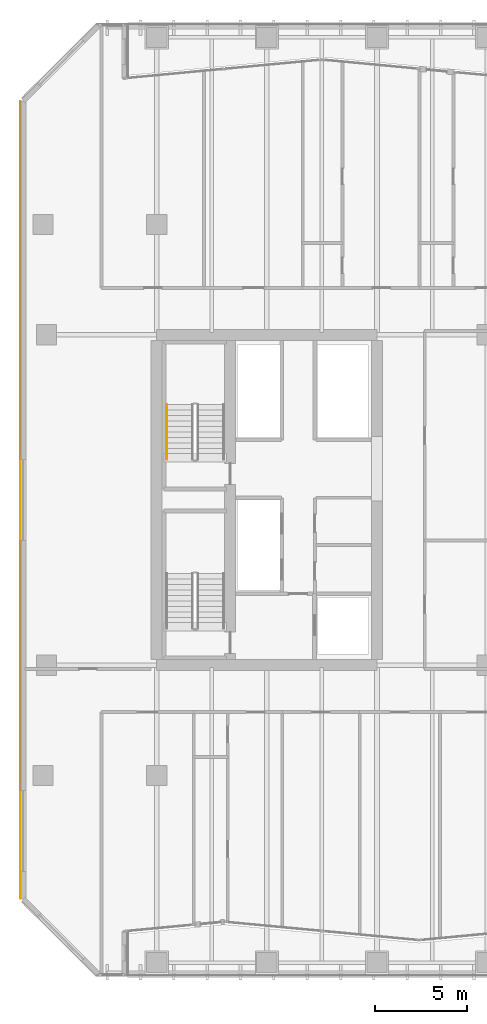
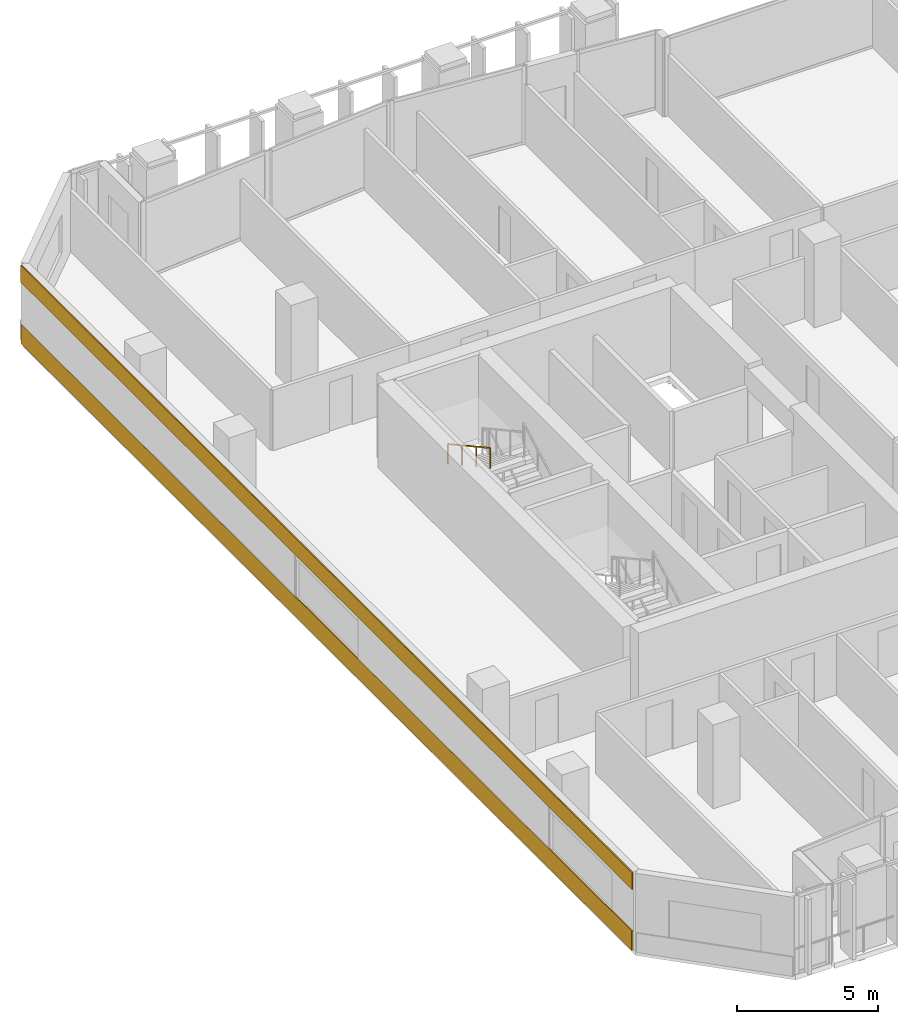
# One storey, part 27 of 31: 2 coverings, 1 railing.
"""IFC4 building model written with IfcOpenShell, lengths in metres."""

from ifc_helpers import new_model, si_unit, direction, frame, origin, origin_2d, place, context, subcontext, project, spatial, rectangle, extrude, material, layer, layer_set, type_object, element, save


model = new_model("IFC4")

# Units and contexts
model_context = context("Model", 3, precision=1e-05, world=origin(), true_north=direction((0.0, 1.0)))
body_context = subcontext(model_context, "Body", "Model", "MODEL_VIEW")
ifc_project = project(units=[si_unit("LENGTHUNIT", "METRE"), si_unit("AREAUNIT", "SQUARE_METRE"), si_unit("VOLUMEUNIT", "CUBIC_METRE"), si_unit("PLANEANGLEUNIT", "RADIAN"), si_unit("MASSUNIT", "GRAM", prefix="KILO")], contexts=[model_context])

# Site, building, storey
site_placement = place(None, origin())
site = spatial("IfcSite", under=ifc_project, at=site_placement, CompositionType="ELEMENT")
building_placement = place(site_placement, origin())
building = spatial("IfcBuilding", under=site, at=building_placement, Name="Tanjung Sevakor Pilgrim Tower", CompositionType="ELEMENT")
storey_placement = place(building_placement, frame((0.0, 0.0, 58.739990234375)))
storey = spatial("IfcBuildingStorey", under=building, at=storey_placement, Name="L16", CompositionType="ELEMENT", Elevation=58.739990234375)

# Coverings
ifc_material_1 = material(Name="Reconstructed Limestone Cladding", Category="masonry")
ifc_layer = layer(ifc_material_1, 0.044921875)
ifc_layer_set = layer_set([ifc_layer], Name="COV-CLAD-LIMESTONE")
covering_type = type_object("IfcCoveringType", Name="COV-CLAD-LIMESTONE", PredefinedType="CLADDING", material=ifc_layer_set)
covering_1_placement = place(storey_placement, frame((16.577392578125, 33.60009765625, 0.009765625), z_axis=(0.0, 0.0, 1.0), x_axis=(0.0, -1.0, 0.0)))
element("IfcCovering", 1, at=covering_1_placement, inside=storey, type_object=covering_type, Name="L16 Warm Limestone Sill Spandrel EW-L16-MAIN-35-1", PredefinedType="CLADDING", context=body_context, shape_type="SweptSolid", body=[
    extrude(rectangle(XDim=43.404052734375, YDim=0.044921875, at=origin_2d()), origin(), (0.0, 0.0, 1.0), 0.840087890625),
])
covering_2_placement = place(storey_placement, frame((16.577392578125, 33.60009765625, 2.66015625), z_axis=(0.0, 0.0, 1.0), x_axis=(0.0, -1.0, 0.0)))
element("IfcCovering", 2, at=covering_2_placement, inside=storey, type_object=covering_type, Name="L16 Warm Limestone Cornice Spandrel EW-L16-MAIN-35", PredefinedType="CLADDING", context=body_context, shape_type="SweptSolid", body=[
    extrude(rectangle(XDim=43.444091796875, YDim=0.044921875, at=origin_2d()), origin(), (0.0, 0.0, 1.0), 0.739990234375),
])

# Railing
ifc_material_2 = material(Name="Steel S355J2", Category="steel")
railing_type = type_object("IfcRailingType", Name="RL-STAIR-HAND", PredefinedType="HANDRAIL", material=ifc_material_2)
railing_placement = place(storey_placement, frame((24.550048828125, 38.800048828125, 1.97998046875)))
element("IfcRailing", 3, at=railing_placement, inside=storey, type_object=railing_type, Name="L16 TS-W2 stair handrail 2", PredefinedType="HANDRAIL", context=body_context, shape_type="SweptSolid", body=[
    extrude(rectangle(XDim=0.0479, YDim=0.0479), frame((0.0, 0.0, 0.8759765625), z_axis=(0.0, -0.876197842262, 0.481951596342), x_axis=(1.0, 0.0, 0.0)), (0.0, 0.0, 1.0), 3.423828125),
    extrude(rectangle(XDim=0.042, YDim=0.042), origin(), (0.0, 0.0, 1.0), 0.851806640625),
    extrude(rectangle(XDim=0.042, YDim=0.042), frame((0.0, -1.0, 0.550048828125)), (0.0, 0.0, 1.0), 0.851806640625),
    extrude(rectangle(XDim=0.042, YDim=0.042), frame((0.0, -2.0, 1.10009765625)), (0.0, 0.0, 1.0), 0.851806640625),
    extrude(rectangle(XDim=0.042, YDim=0.042), frame((0.0, -3.0, 1.650146484375)), (0.0, 0.0, 1.0), 0.851806640625),
])

save(model, "model.ifc")
